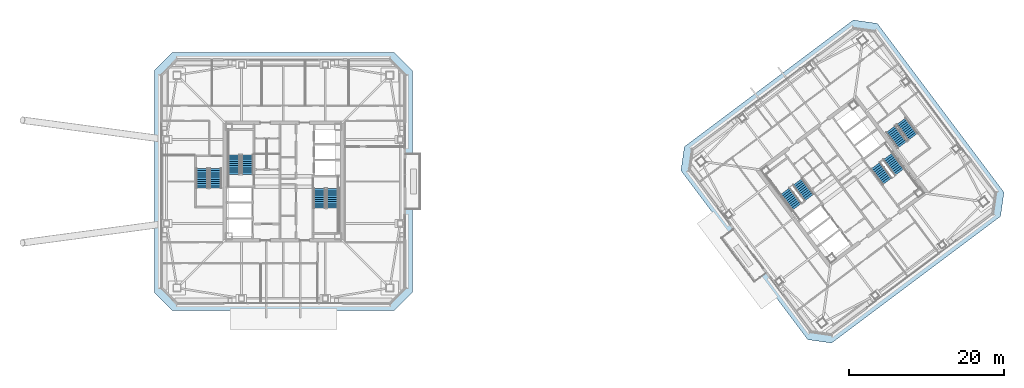
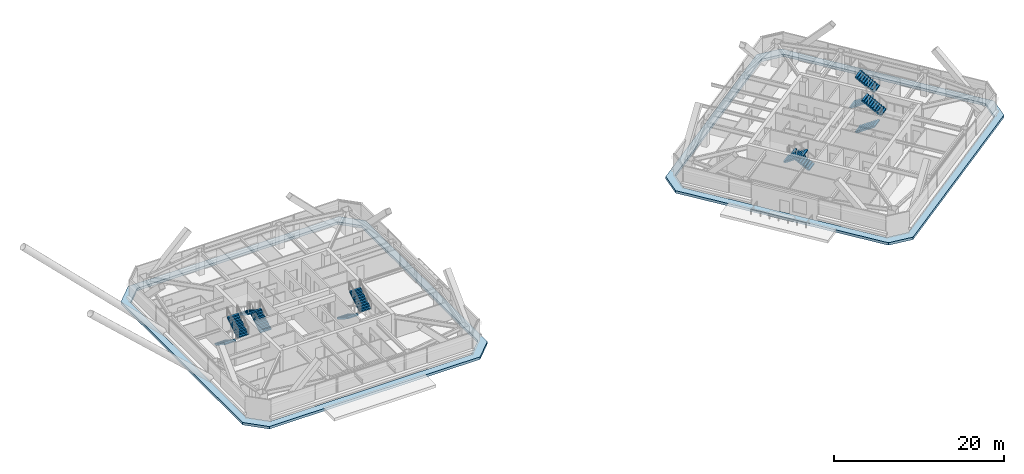
# One storey, part 34 of 39: 12 stair flights, 2 roofs, 6 elements without a shape of their own.
"""IFC4 building model written with IfcOpenShell, lengths in metres."""

from ifc_helpers import new_model, si_unit, direction, frame, origin, place, context, subcontext, project, spatial, polyline, outline, extrude, material, layer, layer_set, type_object, element, aggregate, save


model = new_model("IFC4")

# Units and contexts
model_context = context("Model", 3, precision=1e-05, world=origin(), true_north=direction((0.0, 1.0)))
body_context = subcontext(model_context, "Body", "Model", "MODEL_VIEW")
ifc_project = project(units=[si_unit("LENGTHUNIT", "METRE"), si_unit("AREAUNIT", "SQUARE_METRE"), si_unit("VOLUMEUNIT", "CUBIC_METRE"), si_unit("PLANEANGLEUNIT", "RADIAN"), si_unit("MASSUNIT", "GRAM", prefix="KILO")], contexts=[model_context])

# Site, building, storey
site_placement = place(None, origin())
site = spatial("IfcSite", under=ifc_project, at=site_placement, CompositionType="ELEMENT")
building_placement = place(site_placement, origin())
building = spatial("IfcBuilding", under=site, at=building_placement, Name="Tashvorn Skyway Center", CompositionType="ELEMENT")
storey_placement = place(building_placement, frame((0.0, 0.0, 232.60009765625)))
storey = spatial("IfcBuildingStorey", under=building, at=storey_placement, Name="L63", CompositionType="ELEMENT", Elevation=232.60009765625)

# Stair, stair flights
ifc_material_1 = material(Name="Concrete C40/50", Category="concrete")
stair_type = type_object("IfcStairType", Name="STAIR-CORE-1500", PredefinedType="HALF_TURN_STAIR", material=ifc_material_1)
stair_1_placement = place(storey_placement, origin())
stair_1 = element("IfcStair", 1, at=stair_1_placement, inside=storey, type_object=stair_type, Name="L63 Tower 1 Exit Stair 1", PredefinedType="HALF_TURN_STAIR")
stair_flight_type = type_object("IfcStairFlightType", Name="SFLIGHT-1500", PredefinedType="STRAIGHT", material=ifc_material_1)
stair_flight_1_placement = place(storey_placement, frame((37.35009765625, 32.919921875, 0.0), z_axis=(0.0, 0.0, 1.0), x_axis=(0.0, 1.0, 0.0)))
stair_flight_1 = element("IfcStairFlight", 2, at=stair_flight_1_placement, type_object=stair_flight_type, Name="ST-T1-1 flight 1", NumberOfRisers=10, NumberOfTreads=9, PredefinedType="STRAIGHT", RiserHeight=0.1775, TreadLength=0.28, context=body_context, shape_type="SweptSolid", body=[
    extrude(outline(polyline([(0.0, 0.0), (0.0, 0.177490234375), (0.280029296875, 0.177490234375), (0.280029296875, 0.35498046875), (0.56005859375, 0.35498046875), (0.56005859375, 0.532470703125), (0.840087890625, 0.532470703125), (0.840087890625, 0.7099609375), (1.1201171875, 0.7099609375), (1.1201171875, 0.887451171875), (1.39990234375, 0.887451171875), (1.39990234375, 1.06494140625), (1.679931640625, 1.06494140625), (1.679931640625, 1.242431640625), (1.9599609375, 1.242431640625), (1.9599609375, 1.419921875), (2.239990234375, 1.419921875), (2.239990234375, 1.597412109375), (2.52001953125, 1.597412109375), (2.52001953125, 1.77490234375), (2.52001953125, 1.419921875), (0.280029296875, 0.0), (0.0, 0.0)])), frame((0.0, 0.75, 0.0), z_axis=(0.0, -1.0, 0.0), x_axis=(1.0, 0.0, 0.0)), (0.0, 0.0, 1.0), 1.5),
])
stair_flight_2_placement = place(storey_placement, frame((35.64990234375, 35.43994140625, 1.77490234375), z_axis=(0.0, 0.0, 1.0), x_axis=(0.0, -1.0, 0.0)))
stair_flight_2 = element("IfcStairFlight", 3, at=stair_flight_2_placement, type_object=stair_flight_type, Name="ST-T1-1 flight 2", NumberOfRisers=10, NumberOfTreads=9, PredefinedType="STRAIGHT", RiserHeight=0.1775, TreadLength=0.28, context=body_context, shape_type="SweptSolid", body=[
    extrude(outline(polyline([(0.0, 0.0), (0.0, 0.177490234375), (0.280029296875, 0.177490234375), (0.280029296875, 0.35498046875), (0.56005859375, 0.35498046875), (0.56005859375, 0.532470703125), (0.840087890625, 0.532470703125), (0.840087890625, 0.7099609375), (1.1201171875, 0.7099609375), (1.1201171875, 0.887451171875), (1.39990234375, 0.887451171875), (1.39990234375, 1.06494140625), (1.679931640625, 1.06494140625), (1.679931640625, 1.242431640625), (1.9599609375, 1.242431640625), (1.9599609375, 1.419921875), (2.239990234375, 1.419921875), (2.239990234375, 1.597412109375), (2.52001953125, 1.597412109375), (2.52001953125, 1.77490234375), (2.52001953125, 1.419921875), (0.280029296875, 0.0), (0.0, 0.0)])), frame((0.0, 0.75, 0.0), z_axis=(0.0, -1.0, 0.0), x_axis=(1.0, 0.0, 0.0)), (0.0, 0.0, 1.0), 1.5),
])
aggregate(stair_1, [stair_flight_1, stair_flight_2])

stair_2_placement = place(storey_placement, origin())
stair_2 = element("IfcStair", 4, at=stair_2_placement, inside=storey, type_object=stair_type, Name="L63 Tower 1 Exit Stair 2", PredefinedType="HALF_TURN_STAIR")
stair_flight_3_placement = place(storey_placement, frame((46.64990234375, 31.080078125, 0.0), z_axis=(0.0, 0.0, 1.0), x_axis=(0.0, -1.0, 0.0)))
stair_flight_3 = element("IfcStairFlight", 5, at=stair_flight_3_placement, type_object=stair_flight_type, Name="ST-T1-2 flight 1", NumberOfRisers=10, NumberOfTreads=9, PredefinedType="STRAIGHT", RiserHeight=0.1775, TreadLength=0.28, context=body_context, shape_type="SweptSolid", body=[
    extrude(outline(polyline([(0.0, 0.0), (0.0, 0.177490234375), (0.280029296875, 0.177490234375), (0.280029296875, 0.35498046875), (0.56005859375, 0.35498046875), (0.56005859375, 0.532470703125), (0.840087890625, 0.532470703125), (0.840087890625, 0.7099609375), (1.1201171875, 0.7099609375), (1.1201171875, 0.887451171875), (1.39990234375, 0.887451171875), (1.39990234375, 1.06494140625), (1.679931640625, 1.06494140625), (1.679931640625, 1.242431640625), (1.9599609375, 1.242431640625), (1.9599609375, 1.419921875), (2.239990234375, 1.419921875), (2.239990234375, 1.597412109375), (2.52001953125, 1.597412109375), (2.52001953125, 1.77490234375), (2.52001953125, 1.419921875), (0.280029296875, 0.0), (0.0, 0.0)])), frame((0.0, 0.75, 0.0), z_axis=(0.0, -1.0, 0.0), x_axis=(1.0, 0.0, 0.0)), (0.0, 0.0, 1.0), 1.5),
])
stair_flight_4_placement = place(storey_placement, frame((48.35009765625, 28.56005859375, 1.77490234375), z_axis=(0.0, 0.0, 1.0), x_axis=(0.0, 1.0, 0.0)))
stair_flight_4 = element("IfcStairFlight", 6, at=stair_flight_4_placement, type_object=stair_flight_type, Name="ST-T1-2 flight 2", NumberOfRisers=10, NumberOfTreads=9, PredefinedType="STRAIGHT", RiserHeight=0.1775, TreadLength=0.28, context=body_context, shape_type="SweptSolid", body=[
    extrude(outline(polyline([(0.0, 0.0), (0.0, 0.177490234375), (0.280029296875, 0.177490234375), (0.280029296875, 0.35498046875), (0.56005859375, 0.35498046875), (0.56005859375, 0.532470703125), (0.840087890625, 0.532470703125), (0.840087890625, 0.7099609375), (1.1201171875, 0.7099609375), (1.1201171875, 0.887451171875), (1.39990234375, 0.887451171875), (1.39990234375, 1.06494140625), (1.679931640625, 1.06494140625), (1.679931640625, 1.242431640625), (1.9599609375, 1.242431640625), (1.9599609375, 1.419921875), (2.239990234375, 1.419921875), (2.239990234375, 1.597412109375), (2.52001953125, 1.597412109375), (2.52001953125, 1.77490234375), (2.52001953125, 1.419921875), (0.280029296875, 0.0), (0.0, 0.0)])), frame((0.0, 0.75, 0.0), z_axis=(0.0, -1.0, 0.0), x_axis=(1.0, 0.0, 0.0)), (0.0, 0.0, 1.0), 1.5),
])
aggregate(stair_2, [stair_flight_3, stair_flight_4])

stair_3_placement = place(storey_placement, origin())
stair_3 = element("IfcStair", 7, at=stair_3_placement, inside=storey, type_object=stair_type, Name="L63 Tower 2 Exit Stair 1", PredefinedType="HALF_TURN_STAIR")
stair_flight_5_placement = place(storey_placement, frame((109.72802734375, 29.946044921875, 0.0), z_axis=(0.0, 0.0, 1.0), x_axis=(-0.600000004945, 0.799999996291, 0.0)))
stair_flight_5 = element("IfcStairFlight", 8, at=stair_flight_5_placement, type_object=stair_flight_type, Name="ST-T2-1 flight 1", NumberOfRisers=10, NumberOfTreads=9, PredefinedType="STRAIGHT", RiserHeight=0.1775, TreadLength=0.28, context=body_context, shape_type="SweptSolid", body=[
    extrude(outline(polyline([(0.0, 0.0), (0.0, 0.177490234375), (0.280029296875, 0.177490234375), (0.280029296875, 0.35498046875), (0.56005859375, 0.35498046875), (0.56005859375, 0.532470703125), (0.840087890625, 0.532470703125), (0.840087890625, 0.7099609375), (1.1201171875, 0.7099609375), (1.1201171875, 0.887451171875), (1.39990234375, 0.887451171875), (1.39990234375, 1.06494140625), (1.679931640625, 1.06494140625), (1.679931640625, 1.242431640625), (1.9599609375, 1.242431640625), (1.9599609375, 1.419921875), (2.239990234375, 1.419921875), (2.239990234375, 1.597412109375), (2.52001953125, 1.597412109375), (2.52001953125, 1.77490234375), (2.52001953125, 1.419921875), (0.280029296875, 0.0), (0.0, 0.0)])), frame((0.0, 0.75, 0.0), z_axis=(0.0, -1.0, 0.0), x_axis=(1.0, 0.0, 0.0)), (0.0, 0.0, 1.0), 1.5),
])
stair_flight_6_placement = place(storey_placement, frame((106.632080078125, 30.77392578125, 1.77490234375), z_axis=(0.0, 0.0, 1.0), x_axis=(0.600000004945, -0.799999996291, 0.0)))
stair_flight_6 = element("IfcStairFlight", 9, at=stair_flight_6_placement, type_object=stair_flight_type, Name="ST-T2-1 flight 2", NumberOfRisers=10, NumberOfTreads=9, PredefinedType="STRAIGHT", RiserHeight=0.1775, TreadLength=0.28, context=body_context, shape_type="SweptSolid", body=[
    extrude(outline(polyline([(0.0, 0.0), (0.0, 0.177490234375), (0.280029296875, 0.177490234375), (0.280029296875, 0.35498046875), (0.56005859375, 0.35498046875), (0.56005859375, 0.532470703125), (0.840087890625, 0.532470703125), (0.840087890625, 0.7099609375), (1.1201171875, 0.7099609375), (1.1201171875, 0.887451171875), (1.39990234375, 0.887451171875), (1.39990234375, 1.06494140625), (1.679931640625, 1.06494140625), (1.679931640625, 1.242431640625), (1.9599609375, 1.242431640625), (1.9599609375, 1.419921875), (2.239990234375, 1.419921875), (2.239990234375, 1.597412109375), (2.52001953125, 1.597412109375), (2.52001953125, 1.77490234375), (2.52001953125, 1.419921875), (0.280029296875, 0.0), (0.0, 0.0)])), frame((0.0, 0.75, 0.0), z_axis=(0.0, -1.0, 0.0), x_axis=(1.0, 0.0, 0.0)), (0.0, 0.0, 1.0), 1.5),
])
aggregate(stair_3, [stair_flight_5, stair_flight_6])

stair_4_placement = place(storey_placement, origin())
stair_4 = element("IfcStair", 10, at=stair_4_placement, inside=storey, type_object=stair_type, Name="L63 Tower 2 Exit Stair 2", PredefinedType="HALF_TURN_STAIR")
stair_flight_7_placement = place(storey_placement, frame((118.27197265625, 34.053955078125, 0.0), z_axis=(0.0, 0.0, 1.0), x_axis=(0.600000004945, -0.799999996291, 0.0)))
stair_flight_7 = element("IfcStairFlight", 11, at=stair_flight_7_placement, type_object=stair_flight_type, Name="ST-T2-2 flight 1", NumberOfRisers=10, NumberOfTreads=9, PredefinedType="STRAIGHT", RiserHeight=0.1775, TreadLength=0.28, context=body_context, shape_type="SweptSolid", body=[
    extrude(outline(polyline([(0.0, 0.0), (0.0, 0.177490234375), (0.280029296875, 0.177490234375), (0.280029296875, 0.35498046875), (0.56005859375, 0.35498046875), (0.56005859375, 0.532470703125), (0.840087890625, 0.532470703125), (0.840087890625, 0.7099609375), (1.1201171875, 0.7099609375), (1.1201171875, 0.887451171875), (1.39990234375, 0.887451171875), (1.39990234375, 1.06494140625), (1.679931640625, 1.06494140625), (1.679931640625, 1.242431640625), (1.9599609375, 1.242431640625), (1.9599609375, 1.419921875), (2.239990234375, 1.419921875), (2.239990234375, 1.597412109375), (2.52001953125, 1.597412109375), (2.52001953125, 1.77490234375), (2.52001953125, 1.419921875), (0.280029296875, 0.0), (0.0, 0.0)])), frame((0.0, 0.75, 0.0), z_axis=(0.0, -1.0, 0.0), x_axis=(1.0, 0.0, 0.0)), (0.0, 0.0, 1.0), 1.5),
])
stair_flight_8_placement = place(storey_placement, frame((121.367919921875, 33.22607421875, 1.77490234375), z_axis=(0.0, 0.0, 1.0), x_axis=(-0.600000004945, 0.799999996291, 0.0)))
stair_flight_8 = element("IfcStairFlight", 12, at=stair_flight_8_placement, type_object=stair_flight_type, Name="ST-T2-2 flight 2", NumberOfRisers=10, NumberOfTreads=9, PredefinedType="STRAIGHT", RiserHeight=0.1775, TreadLength=0.28, context=body_context, shape_type="SweptSolid", body=[
    extrude(outline(polyline([(0.0, 0.0), (0.0, 0.177490234375), (0.280029296875, 0.177490234375), (0.280029296875, 0.35498046875), (0.56005859375, 0.35498046875), (0.56005859375, 0.532470703125), (0.840087890625, 0.532470703125), (0.840087890625, 0.7099609375), (1.1201171875, 0.7099609375), (1.1201171875, 0.887451171875), (1.39990234375, 0.887451171875), (1.39990234375, 1.06494140625), (1.679931640625, 1.06494140625), (1.679931640625, 1.242431640625), (1.9599609375, 1.242431640625), (1.9599609375, 1.419921875), (2.239990234375, 1.419921875), (2.239990234375, 1.597412109375), (2.52001953125, 1.597412109375), (2.52001953125, 1.77490234375), (2.52001953125, 1.419921875), (0.280029296875, 0.0), (0.0, 0.0)])), frame((0.0, 0.75, 0.0), z_axis=(0.0, -1.0, 0.0), x_axis=(1.0, 0.0, 0.0)), (0.0, 0.0, 1.0), 1.5),
])
aggregate(stair_4, [stair_flight_7, stair_flight_8])

stair_5_placement = place(storey_placement, origin())
stair_5 = element("IfcStair", 13, at=stair_5_placement, inside=storey, type_object=stair_type, Name="L63 Tower 1 Exit Stair 3", PredefinedType="HALF_TURN_STAIR")
stair_flight_9_placement = place(storey_placement, frame((31.550048828125, 33.679931640625, 0.0), z_axis=(0.0, 0.0, 1.0), x_axis=(0.0, -1.0, 0.0)))
stair_flight_9 = element("IfcStairFlight", 14, at=stair_flight_9_placement, type_object=stair_flight_type, Name="ST-T1-3 flight 1", NumberOfRisers=10, NumberOfTreads=9, PredefinedType="STRAIGHT", RiserHeight=0.1775, TreadLength=0.28, context=body_context, shape_type="SweptSolid", body=[
    extrude(outline(polyline([(0.0, 0.0), (0.0, 0.177490234375), (0.280029296875, 0.177490234375), (0.280029296875, 0.35498046875), (0.56005859375, 0.35498046875), (0.56005859375, 0.532470703125), (0.840087890625, 0.532470703125), (0.840087890625, 0.7099609375), (1.1201171875, 0.7099609375), (1.1201171875, 0.887451171875), (1.39990234375, 0.887451171875), (1.39990234375, 1.06494140625), (1.679931640625, 1.06494140625), (1.679931640625, 1.242431640625), (1.9599609375, 1.242431640625), (1.9599609375, 1.419921875), (2.239990234375, 1.419921875), (2.239990234375, 1.597412109375), (2.52001953125, 1.597412109375), (2.52001953125, 1.77490234375), (2.52001953125, 1.419921875), (0.280029296875, 0.0), (0.0, 0.0)])), frame((0.0, 0.75, 0.0), z_axis=(0.0, -1.0, 0.0), x_axis=(1.0, 0.0, 0.0)), (0.0, 0.0, 1.0), 1.5),
])
stair_flight_10_placement = place(storey_placement, frame((33.25, 31.159912109375, 1.77490234375), z_axis=(0.0, 0.0, 1.0), x_axis=(0.0, 1.0, 0.0)))
stair_flight_10 = element("IfcStairFlight", 15, at=stair_flight_10_placement, type_object=stair_flight_type, Name="ST-T1-3 flight 2", NumberOfRisers=10, NumberOfTreads=9, PredefinedType="STRAIGHT", RiserHeight=0.1775, TreadLength=0.28, context=body_context, shape_type="SweptSolid", body=[
    extrude(outline(polyline([(0.0, 0.0), (0.0, 0.177490234375), (0.280029296875, 0.177490234375), (0.280029296875, 0.35498046875), (0.56005859375, 0.35498046875), (0.56005859375, 0.532470703125), (0.840087890625, 0.532470703125), (0.840087890625, 0.7099609375), (1.1201171875, 0.7099609375), (1.1201171875, 0.887451171875), (1.39990234375, 0.887451171875), (1.39990234375, 1.06494140625), (1.679931640625, 1.06494140625), (1.679931640625, 1.242431640625), (1.9599609375, 1.242431640625), (1.9599609375, 1.419921875), (2.239990234375, 1.419921875), (2.239990234375, 1.597412109375), (2.52001953125, 1.597412109375), (2.52001953125, 1.77490234375), (2.52001953125, 1.419921875), (0.280029296875, 0.0), (0.0, 0.0)])), frame((0.0, 0.75, 0.0), z_axis=(0.0, -1.0, 0.0), x_axis=(1.0, 0.0, 0.0)), (0.0, 0.0, 1.0), 1.5),
])
aggregate(stair_5, [stair_flight_9, stair_flight_10])

stair_6_placement = place(storey_placement, origin())
stair_6 = element("IfcStair", 16, at=stair_6_placement, inside=storey, type_object=stair_type, Name="L63 Tower 2 Exit Stair 3", PredefinedType="HALF_TURN_STAIR")
stair_flight_11_placement = place(storey_placement, frame((120.216064453125, 38.761962890625, 0.0), z_axis=(0.0, 0.0, 1.0), x_axis=(0.600000004945, -0.799999996291, 0.0)))
stair_flight_11 = element("IfcStairFlight", 17, at=stair_flight_11_placement, type_object=stair_flight_type, Name="ST-T2-3 flight 1", NumberOfRisers=10, NumberOfTreads=9, PredefinedType="STRAIGHT", RiserHeight=0.1775, TreadLength=0.28, context=body_context, shape_type="SweptSolid", body=[
    extrude(outline(polyline([(0.0, 0.0), (0.0, 0.177490234375), (0.280029296875, 0.177490234375), (0.280029296875, 0.35498046875), (0.56005859375, 0.35498046875), (0.56005859375, 0.532470703125), (0.840087890625, 0.532470703125), (0.840087890625, 0.7099609375), (1.1201171875, 0.7099609375), (1.1201171875, 0.887451171875), (1.39990234375, 0.887451171875), (1.39990234375, 1.06494140625), (1.679931640625, 1.06494140625), (1.679931640625, 1.242431640625), (1.9599609375, 1.242431640625), (1.9599609375, 1.419921875), (2.239990234375, 1.419921875), (2.239990234375, 1.597412109375), (2.52001953125, 1.597412109375), (2.52001953125, 1.77490234375), (2.52001953125, 1.419921875), (0.280029296875, 0.0), (0.0, 0.0)])), frame((0.0, 0.75, 0.0), z_axis=(0.0, -1.0, 0.0), x_axis=(1.0, 0.0, 0.0)), (0.0, 0.0, 1.0), 1.5),
])
stair_flight_12_placement = place(storey_placement, frame((123.087890625, 37.76611328125, 1.77490234375), z_axis=(0.0, 0.0, 1.0), x_axis=(-0.600000004945, 0.799999996291, 0.0)))
stair_flight_12 = element("IfcStairFlight", 18, at=stair_flight_12_placement, type_object=stair_flight_type, Name="ST-T2-3 flight 2", NumberOfRisers=10, NumberOfTreads=9, PredefinedType="STRAIGHT", RiserHeight=0.1775, TreadLength=0.28, context=body_context, shape_type="SweptSolid", body=[
    extrude(outline(polyline([(0.0, 0.0), (0.0, 0.177490234375), (0.280029296875, 0.177490234375), (0.280029296875, 0.35498046875), (0.56005859375, 0.35498046875), (0.56005859375, 0.532470703125), (0.840087890625, 0.532470703125), (0.840087890625, 0.7099609375), (1.1201171875, 0.7099609375), (1.1201171875, 0.887451171875), (1.39990234375, 0.887451171875), (1.39990234375, 1.06494140625), (1.679931640625, 1.06494140625), (1.679931640625, 1.242431640625), (1.9599609375, 1.242431640625), (1.9599609375, 1.419921875), (2.239990234375, 1.419921875), (2.239990234375, 1.597412109375), (2.52001953125, 1.597412109375), (2.52001953125, 1.77490234375), (2.52001953125, 1.419921875), (0.280029296875, 0.0), (0.0, 0.0)])), frame((0.0, 0.75, 0.0), z_axis=(0.0, -1.0, 0.0), x_axis=(1.0, 0.0, 0.0)), (0.0, 0.0, 1.0), 1.5),
])
aggregate(stair_6, [stair_flight_11, stair_flight_12])

# Roofs
ifc_material_2 = material(Name="Architectural glazed Mojave terracotta roof and cornice system", Category="masonry")
ifc_layer = layer(ifc_material_2, 0.360107421875)
ifc_layer_set = layer_set([ifc_layer], Name="Architectural glazed Mojave terracotta roof and cornice system")
roof_type = type_object("IfcRoofType", Name="ROOF-PM-CORNICE", PredefinedType="GABLE_ROOF", material=ifc_layer_set)
roof_1_placement = place(storey_placement, origin())
element("IfcRoof", 19, at=roof_1_placement, inside=storey, type_object=roof_type, Name="Tower 1 L63 Postmodern Setback Terracotta Cornice", PredefinedType="GABLE_ROOF", context=body_context, shape_type="SweptSolid", body=[
    extrude(outline(polyline([(27.699951171875, 15.39990234375), (56.300048828125, 15.39990234375), (58.60009765625, 17.699951171875), (58.60009765625, 46.300048828125), (56.300048828125, 48.60009765625), (27.699951171875, 48.60009765625), (25.39990234375, 46.300048828125), (25.39990234375, 17.699951171875), (27.699951171875, 15.39990234375)]), holes=[polyline([(28.39990234375, 16.300048828125), (55.60009765625, 16.300048828125), (57.699951171875, 18.39990234375), (57.699951171875, 45.60009765625), (55.60009765625, 47.699951171875), (28.39990234375, 47.699951171875), (26.300048828125, 45.60009765625), (26.300048828125, 18.39990234375), (28.39990234375, 16.300048828125)])]), origin(), (0.0, 0.0, 1.0), 0.35986328125),
])
roof_2_placement = place(storey_placement, origin())
element("IfcRoof", 20, at=roof_2_placement, inside=storey, type_object=roof_type, Name="Tower 2 L63 Postmodern Setback Terracotta Cornice", PredefinedType="GABLE_ROOF", context=body_context, shape_type="SweptSolid", body=[
    extrude(outline(polyline([(112.60009765625, 11.199951171875), (134.360107421875, 27.52001953125), (134.800048828125, 30.60009765625), (118.47998046875, 52.360107421875), (115.39990234375, 52.800048828125), (93.639892578125, 36.47998046875), (93.199951171875, 33.39990234375), (109.52001953125, 11.639892578125), (112.60009765625, 11.199951171875)]), holes=[polyline([(112.6201171875, 12.340087890625), (133.260009765625, 27.820068359375), (133.659912109375, 30.6201171875), (118.179931640625, 51.260009765625), (115.3798828125, 51.659912109375), (94.739990234375, 36.179931640625), (94.340087890625, 33.3798828125), (109.820068359375, 12.739990234375), (112.6201171875, 12.340087890625)])]), origin(), (0.0, 0.0, 1.0), 0.35986328125),
])

save(model, "model.ifc")
